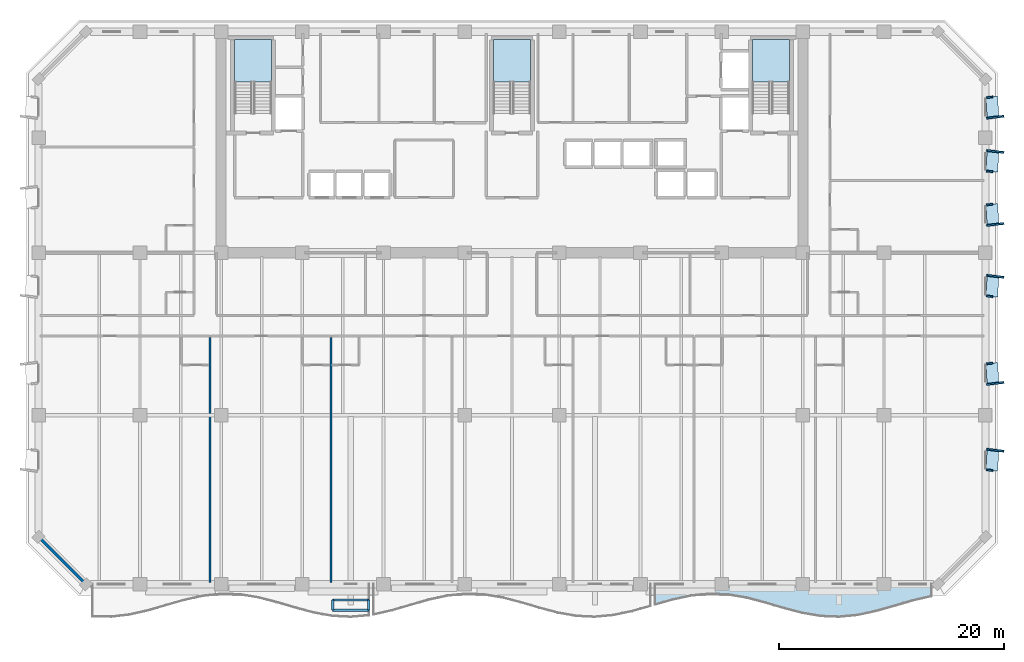
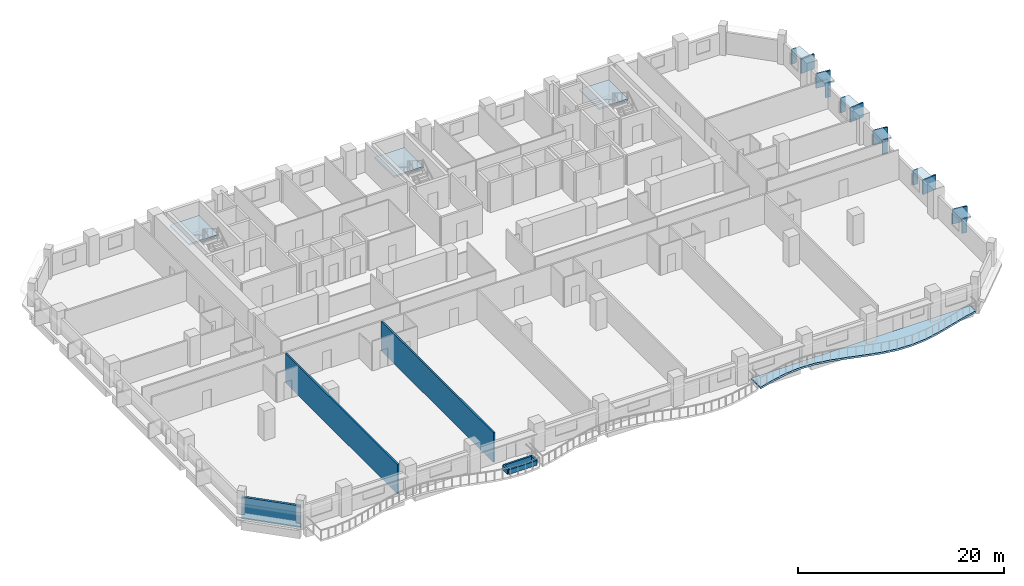
# One storey, part 3 of 15: 18 plates, 7 walls, 4 slabs, 3 elements without a shape of their own.
"""IFC4 building model written with IfcOpenShell, lengths in metres."""

from ifc_helpers import new_model, si_unit, direction, frame, frame_2d, origin, origin_2d, place, context, subcontext, project, spatial, polyline, rectangle, outline, extrude, material, layer, layer_set, type_object, element, aggregate, save


model = new_model("IFC4")

# Units and contexts
model_context = context("Model", 3, precision=1e-05, world=origin(), true_north=direction((0.0, 1.0)))
body_context = subcontext(model_context, "Body", "Model", "MODEL_VIEW")
ifc_project = project(units=[si_unit("LENGTHUNIT", "METRE"), si_unit("AREAUNIT", "SQUARE_METRE"), si_unit("VOLUMEUNIT", "CUBIC_METRE"), si_unit("PLANEANGLEUNIT", "RADIAN"), si_unit("MASSUNIT", "GRAM", prefix="KILO")], contexts=[model_context])

# Site, building, storey
site_placement = place(None, origin())
site = spatial("IfcSite", under=ifc_project, at=site_placement, CompositionType="ELEMENT")
building_placement = place(site_placement, origin())
building = spatial("IfcBuilding", under=site, at=building_placement, Name="Kaelvorn Grand Hotel", CompositionType="ELEMENT")
storey_placement = place(building_placement, frame((0.0, 0.0, 96.800048828125)))
storey = spatial("IfcBuildingStorey", under=building, at=storey_placement, Name="L22", CompositionType="ELEMENT", Elevation=96.800048828125)

# Plates
ifc_material_1 = material(Name="Precast concrete C45/55", Category="concrete")
ifc_layer_1 = layer(ifc_material_1, 0.159912109375)
ifc_layer_set_1 = layer_set([ifc_layer_1], Name="Precast concrete C45/55")
plate_type_1 = type_object("IfcPlateType", Name="PL-FRAME-DEEP-1550", PredefinedType="USERDEFINED", material=ifc_layer_set_1)
for number, where, z_axis, x_axis, name in (
    (1, (84.864990234375, 11.889892578125, 0.68994140625), (0.0, 0.0, 1.0), (0.121869343405, 0.992546151641, 0.0), "L22 Tilted Precast Window Frame Fin R-E01"),
    (2, (84.864990234375, 17.81005859375, 0.68994140625), (0.0, 0.0, 1.0), (-0.121869343405, 0.992546151641, 0.0), "L22 Tilted Precast Window Frame Fin L-E02"),
    (3, (84.864990234375, 27.31494140625, 0.68994140625), (0.0, 0.0, 1.0), (0.121869343405, 0.992546151641, 0.0), "L22 Tilted Precast Window Frame Fin R-E03"),
    (4, (84.864990234375, 31.909912109375, 0.68994140625), (0.0, 0.0, 1.0), (-0.121869343405, 0.992546151641, 0.0), "L22 Tilted Precast Window Frame Fin L-E04"),
    (5, (84.864990234375, 38.389892578125, 0.68994140625), (0.0, 0.0, 1.0), (0.121869343405, 0.992546151641, 0.0), "L22 Tilted Precast Window Frame Fin R-E05"),
    (6, (84.864990234375, 41.425048828125, 0.68994140625), (0.0, 0.0, 1.0), (-0.121869343405, 0.992546151641, 0.0), "L22 Tilted Precast Window Frame Fin L-E06"),
):
    element("IfcPlate", number, at=place(storey_placement, frame(where, z_axis=z_axis, x_axis=x_axis)), inside=storey, type_object=plate_type_1, Name=name, ObjectType="FLANGE_PLATE", PredefinedType="USERDEFINED", context=body_context, shape_type="SweptSolid", body=[
        extrude(rectangle(XDim=0.159912109375, YDim=1.550048828125, at=origin_2d()), origin(), (0.0, 0.0, 1.0), 1.719970703125),
    ])
ifc_layer_2 = layer(ifc_material_1, 0.159912109375)
ifc_layer_set_2 = layer_set([ifc_layer_2], Name="Precast concrete C45/55")
plate_type_2 = type_object("IfcPlateType", Name="PL-FRAME-HEAD-1050", PredefinedType="USERDEFINED", material=ifc_layer_set_2)
for number, where, z_axis, x_axis, name in (
    (7, (84.614990234375, 11.0, 2.25), (0.0, 0.0, 1.0), (0.054950179912, 0.998489097451, 0.0), "L22 Precast Window Frame Head Hood H-E01"),
    (8, (84.614990234375, 18.699951171875, 2.25), (0.0, 0.0, 1.0), (-0.054950179912, 0.998489097451, 0.0), "L22 Precast Window Frame Head Hood H-E02"),
    (9, (84.614990234375, 26.425048828125, 2.25), (0.0, 0.0, 1.0), (0.054950179912, 0.998489097451, 0.0), "L22 Precast Window Frame Head Hood H-E03"),
    (10, (84.614990234375, 32.800048828125, 2.25), (0.0, 0.0, 1.0), (-0.054950179912, 0.998489097451, 0.0), "L22 Precast Window Frame Head Hood H-E04"),
    (11, (84.614990234375, 37.5, 2.25), (0.0, 0.0, 1.0), (0.054950179912, 0.998489097451, 0.0), "L22 Precast Window Frame Head Hood H-E05"),
    (12, (84.614990234375, 42.31494140625, 2.25), (0.0, 0.0, 1.0), (-0.054950179912, 0.998489097451, 0.0), "L22 Precast Window Frame Head Hood H-E06"),
):
    element("IfcPlate", number, at=place(storey_placement, frame(where, z_axis=z_axis, x_axis=x_axis)), inside=storey, type_object=plate_type_2, Name=name, ObjectType="FLANGE_PLATE", PredefinedType="USERDEFINED", context=body_context, shape_type="SweptSolid", body=[
        extrude(rectangle(XDim=1.860107421875, YDim=1.050048828125, at=origin_2d()), origin(), (0.0, 0.0, 1.0), 0.159912109375),
    ])
ifc_layer_3 = layer(ifc_material_1, 0.159912109375)
ifc_layer_set_3 = layer_set([ifc_layer_3], Name="Precast concrete C45/55")
plate_type_3 = type_object("IfcPlateType", Name="PL-FRAME-SHAL-550", PredefinedType="USERDEFINED", material=ifc_layer_set_3)
for number, where, z_axis, x_axis, name in (
    (13, (84.364990234375, 10.110107421875, 0.68994140625), (0.0, 0.0, 1.0), (0.121869343405, 0.992546151641, 0.0), "L22 Tilted Precast Window Frame Fin L-E01"),
    (14, (84.364990234375, 19.590087890625, 0.68994140625), (0.0, 0.0, 1.0), (-0.121869343405, 0.992546151641, 0.0), "L22 Tilted Precast Window Frame Fin R-E02"),
    (15, (84.364990234375, 25.534912109375, 0.68994140625), (0.0, 0.0, 1.0), (0.121869343405, 0.992546151641, 0.0), "L22 Tilted Precast Window Frame Fin L-E03"),
    (16, (84.364990234375, 33.68994140625, 0.68994140625), (0.0, 0.0, 1.0), (-0.121869343405, 0.992546151641, 0.0), "L22 Tilted Precast Window Frame Fin R-E04"),
    (17, (84.364990234375, 36.610107421875, 0.68994140625), (0.0, 0.0, 1.0), (0.121869343405, 0.992546151641, 0.0), "L22 Tilted Precast Window Frame Fin L-E05"),
    (18, (84.364990234375, 43.205078125, 0.68994140625), (0.0, 0.0, 1.0), (-0.121869343405, 0.992546151641, 0.0), "L22 Tilted Precast Window Frame Fin R-E06"),
):
    element("IfcPlate", number, at=place(storey_placement, frame(where, z_axis=z_axis, x_axis=x_axis)), inside=storey, type_object=plate_type_3, Name=name, ObjectType="FLANGE_PLATE", PredefinedType="USERDEFINED", context=body_context, shape_type="SweptSolid", body=[
        extrude(rectangle(XDim=0.159912109375, YDim=0.550048828125, at=origin_2d()), origin(), (0.0, 0.0, 1.0), 1.719970703125),
    ])

# Slab
ifc_material_2 = material(Name="Concrete C40/50", Category="concrete")
ifc_layer_4 = layer(ifc_material_2, 0.219970703125)
ifc_layer_set_4 = layer_set([ifc_layer_4], Name="Concrete C40/50")
slab_type_1 = type_object("IfcSlabType", Name="SLB-BALC-220-C40", PredefinedType="FLOOR", material=ifc_layer_set_4)
slab_1_placement = place(storey_placement, frame((0.0, 0.0, -0.219970703125)))
element("IfcSlab", 19, at=slab_1_placement, inside=storey, type_object=slab_type_1, Name="L22 Scalloped Wave Balcony Slab 3", PredefinedType="FLOOR", context=body_context, shape_type="SweptSolid", body=[
    extrude(outline(polyline([(54.666748046875, -1.8193359375), (56.30224609375, -1.356689453125), (57.937744140625, -1.00927734375), (59.5732421875, -0.85400390625), (61.208984375, -0.925537109375), (62.844482421875, -1.2080078125), (64.47998046875, -1.638671875), (66.115478515625, -2.12158203125), (67.751220703125, -2.550048828125), (69.38671875, -2.828369140625), (71.022216796875, -2.89501953125), (72.65771484375, -2.735107421875), (74.293212890625, -2.384033203125), (75.928955078125, -1.919921875), (77.564453125, -1.446044921875), (79.199951171875, -1.0673828125), (79.199951171875, 0.0), (54.666748046875, 0.0), (54.666748046875, -1.8193359375)])), origin(), (0.0, 0.0, 1.0), 0.219970703125),
])

# Stair, slab
stair_type = type_object("IfcStairType", Name="STR-DOG-1560-R06", PredefinedType="HALF_TURN_STAIR", material=ifc_material_2)
stair_1_placement = place(storey_placement, origin())
stair_1 = element("IfcStair", 20, at=stair_1_placement, inside=storey, type_object=stair_type, Name="L22 West Core Exit Stair ST1", PredefinedType="HALF_TURN_STAIR")
ifc_layer_5 = layer(ifc_material_2, 0.199951171875)
ifc_layer_set_5 = layer_set([ifc_layer_5], Name="Concrete C40/50")
slab_type_2 = type_object("IfcSlabType", Name="SLB-LAND-200-C40", PredefinedType="LANDING", material=ifc_layer_set_5)
slab_2_placement = place(storey_placement, frame((0.0, 0.0, 1.675048828125)))
slab_2 = element("IfcSlab", 21, at=slab_2_placement, type_object=slab_type_2, Name="ST1 landing 1", PredefinedType="LANDING", context=body_context, shape_type="SweptSolid", body=[
    extrude(outline(polyline([(20.679931640625, 44.56005859375), (20.679931640625, 48.300048828125), (17.39990234375, 48.300048828125), (17.39990234375, 44.56005859375), (20.679931640625, 44.56005859375)])), origin(), (0.0, 0.0, 1.0), 0.199951171875),
])
aggregate(stair_1, [slab_2])

stair_2_placement = place(storey_placement, origin())
stair_2 = element("IfcStair", 22, at=stair_2_placement, inside=storey, type_object=stair_type, Name="L22 Central Core Exit Stair ST2", PredefinedType="HALF_TURN_STAIR")
slab_3_placement = place(storey_placement, frame((0.0, 0.0, 1.675048828125)))
slab_3 = element("IfcSlab", 23, at=slab_3_placement, type_object=slab_type_2, Name="ST2 landing 1", PredefinedType="LANDING", context=body_context, shape_type="SweptSolid", body=[
    extrude(outline(polyline([(43.639892578125, 44.56005859375), (43.639892578125, 48.300048828125), (40.360107421875, 48.300048828125), (40.360107421875, 44.56005859375), (43.639892578125, 44.56005859375)])), origin(), (0.0, 0.0, 1.0), 0.199951171875),
])
aggregate(stair_2, [slab_3])

stair_3_placement = place(storey_placement, origin())
stair_3 = element("IfcStair", 24, at=stair_3_placement, inside=storey, type_object=stair_type, Name="L22 East Core Exit Stair ST3", PredefinedType="HALF_TURN_STAIR")
slab_4_placement = place(storey_placement, frame((0.0, 0.0, 1.675048828125)))
slab_4 = element("IfcSlab", 25, at=slab_4_placement, type_object=slab_type_2, Name="ST3 landing 1", PredefinedType="LANDING", context=body_context, shape_type="SweptSolid", body=[
    extrude(outline(polyline([(66.60009765625, 44.56005859375), (66.60009765625, 48.300048828125), (63.320068359375, 48.300048828125), (63.320068359375, 44.56005859375), (66.60009765625, 44.56005859375)])), origin(), (0.0, 0.0, 1.0), 0.199951171875),
])
aggregate(stair_3, [slab_4])

# Walls
ifc_layer_6 = layer(ifc_material_2, 0.260009765625)
ifc_layer_set_6 = layer_set([ifc_layer_6], Name="Concrete C40/50")
wall_type_1 = type_object("IfcWallType", Name="WL-EXT-260-C40", PredefinedType="SOLIDWALL", material=ifc_layer_set_6)
wall_1_placement = place(storey_placement, frame((0.0, 4.199951171875, 0.0), z_axis=(0.0, 0.0, 1.0), x_axis=(0.707106781187, -0.707106781187, 0.0)))
element("IfcWall", 26, at=wall_1_placement, inside=storey, type_object=wall_type_1, Name="L22 Exterior Architectural Concrete Wall 08", PredefinedType="SOLIDWALL", context=body_context, shape_type="SweptSolid", body=[
    extrude(rectangle(XDim=5.939697265625, YDim=0.260009765625, at=frame_2d((2.9697265625, 0.0))), origin(), (0.0, 0.0, 1.0), 2.56005859375),
])
ifc_material_3 = material(Name="Acoustic Gypsum & Stud Partition")
ifc_layer_7 = layer(ifc_material_3, 0.179931640625)
ifc_layer_set_7 = layer_set([ifc_layer_7], Name="Acoustic Gypsum & Stud Partition")
wall_type_2 = type_object("IfcWallType", Name="WL-PART-180-EI60", PredefinedType="PARTITIONING", material=ifc_layer_set_7)
for number, where, z_axis, x_axis, name in (
    (27, (15.19287109375, 0.14990234375, 0.0), (0.0, 0.0, 1.0), (0.0, 1.0, 0.0), "L22 Presidential Sky Suite L22-01 E Partition"),
    (28, (25.935791015625, 0.14990234375, 0.0), (0.0, 0.0, 1.0), (0.0, 1.0, 0.0), "L22 Deluxe Panoramic Suite L22-02 E Partition"),
):
    element("IfcWall", number, at=place(storey_placement, frame(where, z_axis=z_axis, x_axis=x_axis)), inside=storey, type_object=wall_type_2, Name=name, PredefinedType="PARTITIONING", context=body_context, shape_type="SweptSolid", body=[
        extrude(rectangle(XDim=21.755126953125, YDim=0.179931640625, at=frame_2d((10.87744140625, 0.0))), origin(), (0.0, 0.0, 1.0), 3.510009765625),
    ])
ifc_layer_8 = layer(ifc_material_2, 0.199951171875)
ifc_layer_set_8 = layer_set([ifc_layer_8], Name="Concrete C40/50")
wall_type_3 = type_object("IfcWallType", Name="WL-TREE-PLANTER-200", PredefinedType="PARAPET", material=ifc_layer_set_8)
wall_2_placement = place(storey_placement, frame((26.09765625, -2.300048828125, 0.0), z_axis=(0.0, 0.0, 1.0), x_axis=(1.0, 0.0, 0.0)))
element("IfcWall", 29, at=wall_2_placement, inside=storey, type_object=wall_type_3, Name="L22 Planted Balcony Structural TREE PLANTER Kerb 1-S", PredefinedType="PARAPET", context=body_context, shape_type="SweptSolid", body=[
    extrude(rectangle(XDim=3.2001953125, YDim=0.199951171875, at=frame_2d((1.60009765625, 0.0))), origin(), (0.0, 0.0, 1.0), 0.550048828125),
])
wall_3_placement = place(storey_placement, frame((29.2978515625, -2.300048828125, 0.0), z_axis=(0.0, 0.0, 1.0), x_axis=(0.0, 1.0, 0.0)))
element("IfcWall", 30, at=wall_3_placement, inside=storey, type_object=wall_type_3, Name="L22 Planted Balcony Structural TREE PLANTER Kerb 1-E", PredefinedType="PARAPET", context=body_context, shape_type="SweptSolid", body=[
    extrude(rectangle(XDim=0.900146484375, YDim=0.199951171875, at=frame_2d((0.4501953125, 0.0))), origin(), (0.0, 0.0, 1.0), 0.550048828125),
])
wall_4_placement = place(storey_placement, frame((29.2978515625, -1.39990234375, 0.0), z_axis=(0.0, 0.0, 1.0), x_axis=(-1.0, 0.0, 0.0)))
element("IfcWall", 31, at=wall_4_placement, inside=storey, type_object=wall_type_3, Name="L22 Planted Balcony Structural TREE PLANTER Kerb 1-N", PredefinedType="PARAPET", context=body_context, shape_type="SweptSolid", body=[
    extrude(rectangle(XDim=3.2001953125, YDim=0.199951171875, at=frame_2d((1.60009765625, 0.0))), origin(), (0.0, 0.0, 1.0), 0.550048828125),
])
wall_5_placement = place(storey_placement, frame((26.09765625, -1.39990234375, 0.0), z_axis=(0.0, 0.0, 1.0), x_axis=(0.0, -1.0, 0.0)))
element("IfcWall", 32, at=wall_5_placement, inside=storey, type_object=wall_type_3, Name="L22 Planted Balcony Structural TREE PLANTER Kerb 1-W", PredefinedType="PARAPET", context=body_context, shape_type="SweptSolid", body=[
    extrude(rectangle(XDim=0.900146484375, YDim=0.199951171875, at=frame_2d((0.4501953125, 0.0))), origin(), (0.0, 0.0, 1.0), 0.550048828125),
])

save(model, "model.ifc")
